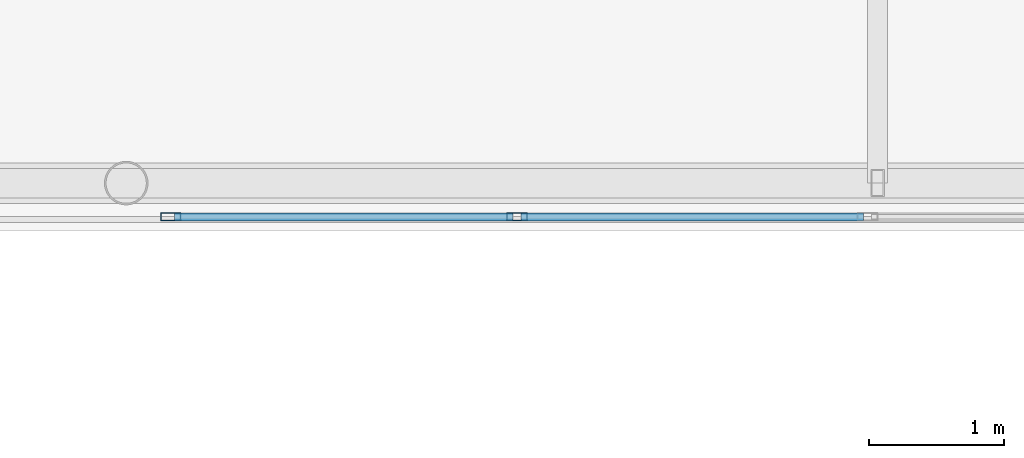
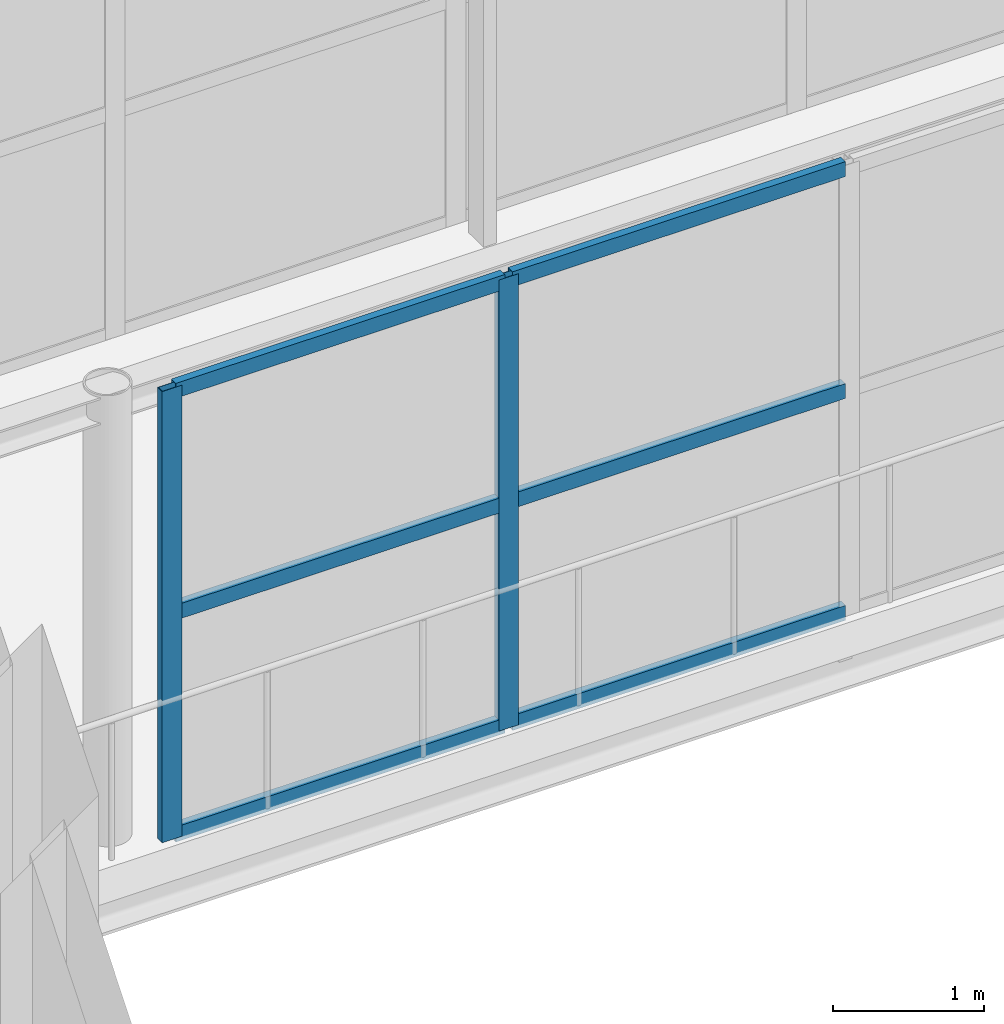
# One storey, part 57 of 167: 8 members, 1 element without a shape of its own.
"""IFC4 building model written with IfcOpenShell, lengths in metres."""

from ifc_helpers import new_model, si_unit, direction, frame, origin, origin_2d, place, context, subcontext, project, spatial, hollow_rectangle, extrude, material, layer, layer_set, material_profile, profile_set, type_object, element, aggregate, save


model = new_model("IFC4")

# Units and contexts
model_context = context("Model", 3, precision=1e-05, world=origin(), true_north=direction((0.0, 1.0)))
body_context = subcontext(model_context, "Body", "Model", "MODEL_VIEW")
ifc_project = project(units=[si_unit("LENGTHUNIT", "METRE"), si_unit("AREAUNIT", "SQUARE_METRE"), si_unit("VOLUMEUNIT", "CUBIC_METRE"), si_unit("PLANEANGLEUNIT", "RADIAN"), si_unit("MASSUNIT", "GRAM", prefix="KILO")], contexts=[model_context])

# Site, building, storey
site_placement = place(None, origin())
site = spatial("IfcSite", under=ifc_project, at=site_placement, CompositionType="ELEMENT")
building_placement = place(site_placement, origin())
building = spatial("IfcBuilding", under=site, at=building_placement, Name="Zizhar Promenade General Hospital", CompositionType="ELEMENT")
storey_placement = place(building_placement, frame((0.0, 0.0, 9.60009765625)))
storey = spatial("IfcBuildingStorey", under=building, at=storey_placement, Name="L02", CompositionType="ELEMENT", Elevation=9.60009765625)

# Curtain wall, members
ifc_material_1 = material(Name="Anodised aluminium 6063-T6 and low-E glass", Category="aluminium")
ifc_layer = layer(ifc_material_1, 0.159912109375)
ifc_layer_set = layer_set([ifc_layer], Name="Anodised aluminium 6063-T6 and low-E glass")
curtain_wall_type = type_object("IfcCurtainWallType", Name="CW-SKY-GLZ", PredefinedType="NOTDEFINED", material=ifc_layer_set)
curtain_wall_placement = place(storey_placement, origin())
curtain_wall = element("IfcCurtainWall", 1, at=curtain_wall_placement, inside=storey, type_object=curtain_wall_type, Name="Courtyard Surgical-Clinic Skybridge Level L02 South Glazing 1", PredefinedType="NOTDEFINED")
ifc_material_2 = material(Name="Anodised aluminium 6063-T6", Category="aluminium")
ifc_material_profile_1 = material_profile(ifc_material_2, hollow_rectangle(XDim=0.06005859375, YDim=0.14990234375, WallThickness=0.00390625, at=origin_2d()))
ifc_profile_set_1 = profile_set([ifc_material_profile_1], Name="Anodised aluminium 6063-T6")
member_type_1 = type_object("IfcMemberType", Name="CWM-ALU-150x60", PredefinedType="MULLION", material=ifc_profile_set_1)
member_1_placement = place(storey_placement, frame((75.0, 77.5, 0.0), z_axis=(0.0, 0.0, 1.0), x_axis=(0.0, -1.0, 0.0)))
member_1 = element("IfcMember", 2, at=member_1_placement, type_object=member_type_1, Name="CW-15 mullion 5", PredefinedType="MULLION", context=body_context, shape_type="SweptSolid", body=[
    extrude(hollow_rectangle(XDim=0.06005859375, YDim=0.14990234375, WallThickness=0.00390625, at=origin_2d()), origin(), (0.0, 0.0, 1.0), 3.639892578125),
])
member_2_placement = place(storey_placement, frame((72.429931640625, 77.5, 0.0), z_axis=(0.0, 0.0, 1.0), x_axis=(0.0, -1.0, 0.0)))
member_2 = element("IfcMember", 3, at=member_2_placement, type_object=member_type_1, Name="CW-15 mullion 6", PredefinedType="MULLION", context=body_context, shape_type="SweptSolid", body=[
    extrude(hollow_rectangle(XDim=0.06005859375, YDim=0.14990234375, WallThickness=0.00390625, at=origin_2d()), origin(), (0.0, 0.0, 1.0), 3.639892578125),
])
ifc_material_3 = material(Name="Anodised aluminium 6063-T6", Category="aluminium")
ifc_material_profile_2 = material_profile(ifc_material_3, hollow_rectangle(XDim=0.06005859375, YDim=0.1201171875, WallThickness=0.00390625, at=origin_2d()))
ifc_profile_set_2 = profile_set([ifc_material_profile_2], Name="Anodised aluminium 6063-T6")
member_type_2 = type_object("IfcMemberType", Name="CWT-ALU-120x60", PredefinedType="USERDEFINED", material=ifc_profile_set_2)
member_3_placement = place(storey_placement, frame((77.570068359375, 77.5, 0.02978515625), z_axis=(-1.0, 0.0, 0.0), x_axis=(0.0, -1.0, 0.0)))
member_3 = element("IfcMember", 4, at=member_3_placement, type_object=member_type_2, Name="CW-15 transom 4.1", ObjectType="TRANSOM", PredefinedType="USERDEFINED", context=body_context, shape_type="SweptSolid", body=[
    extrude(hollow_rectangle(XDim=0.06005859375, YDim=0.1201171875, WallThickness=0.00390625, at=origin_2d()), origin(), (0.0, 0.0, 1.0), 2.5400390625),
])
member_4_placement = place(storey_placement, frame((77.570068359375, 77.5, 1.81982421875), z_axis=(-1.0, 0.0, 0.0), x_axis=(0.0, -1.0, 0.0)))
member_4 = element("IfcMember", 5, at=member_4_placement, type_object=member_type_2, Name="CW-15 transom 4.2", ObjectType="TRANSOM", PredefinedType="USERDEFINED", context=body_context, shape_type="SweptSolid", body=[
    extrude(hollow_rectangle(XDim=0.06005859375, YDim=0.1201171875, WallThickness=0.00390625, at=origin_2d()), origin(), (0.0, 0.0, 1.0), 2.5400390625),
])
member_5_placement = place(storey_placement, frame((77.570068359375, 77.5, 3.60986328125), z_axis=(-1.0, 0.0, 0.0), x_axis=(0.0, -1.0, 0.0)))
member_5 = element("IfcMember", 6, at=member_5_placement, type_object=member_type_2, Name="CW-15 transom 4.3", ObjectType="TRANSOM", PredefinedType="USERDEFINED", context=body_context, shape_type="SweptSolid", body=[
    extrude(hollow_rectangle(XDim=0.06005859375, YDim=0.1201171875, WallThickness=0.00390625, at=origin_2d()), origin(), (0.0, 0.0, 1.0), 2.5400390625),
])
member_6_placement = place(storey_placement, frame((74.969970703125, 77.5, 0.02978515625), z_axis=(-1.0, 0.0, 0.0), x_axis=(0.0, -1.0, 0.0)))
member_6 = element("IfcMember", 7, at=member_6_placement, type_object=member_type_2, Name="CW-15 transom 5.1", ObjectType="TRANSOM", PredefinedType="USERDEFINED", context=body_context, shape_type="SweptSolid", body=[
    extrude(hollow_rectangle(XDim=0.06005859375, YDim=0.1201171875, WallThickness=0.00390625, at=origin_2d()), origin(), (0.0, 0.0, 1.0), 2.510009765625),
])
member_7_placement = place(storey_placement, frame((74.969970703125, 77.5, 1.81982421875), z_axis=(-1.0, 0.0, 0.0), x_axis=(0.0, -1.0, 0.0)))
member_7 = element("IfcMember", 8, at=member_7_placement, type_object=member_type_2, Name="CW-15 transom 5.2", ObjectType="TRANSOM", PredefinedType="USERDEFINED", context=body_context, shape_type="SweptSolid", body=[
    extrude(hollow_rectangle(XDim=0.06005859375, YDim=0.1201171875, WallThickness=0.00390625, at=origin_2d()), origin(), (0.0, 0.0, 1.0), 2.510009765625),
])
member_8_placement = place(storey_placement, frame((74.969970703125, 77.5, 3.60986328125), z_axis=(-1.0, 0.0, 0.0), x_axis=(0.0, -1.0, 0.0)))
member_8 = element("IfcMember", 9, at=member_8_placement, type_object=member_type_2, Name="CW-15 transom 5.3", ObjectType="TRANSOM", PredefinedType="USERDEFINED", context=body_context, shape_type="SweptSolid", body=[
    extrude(hollow_rectangle(XDim=0.06005859375, YDim=0.1201171875, WallThickness=0.00390625, at=origin_2d()), origin(), (0.0, 0.0, 1.0), 2.510009765625),
])
aggregate(curtain_wall, [member_1, member_2, member_3, member_4, member_5, member_6, member_7, member_8])

save(model, "model.ifc")
